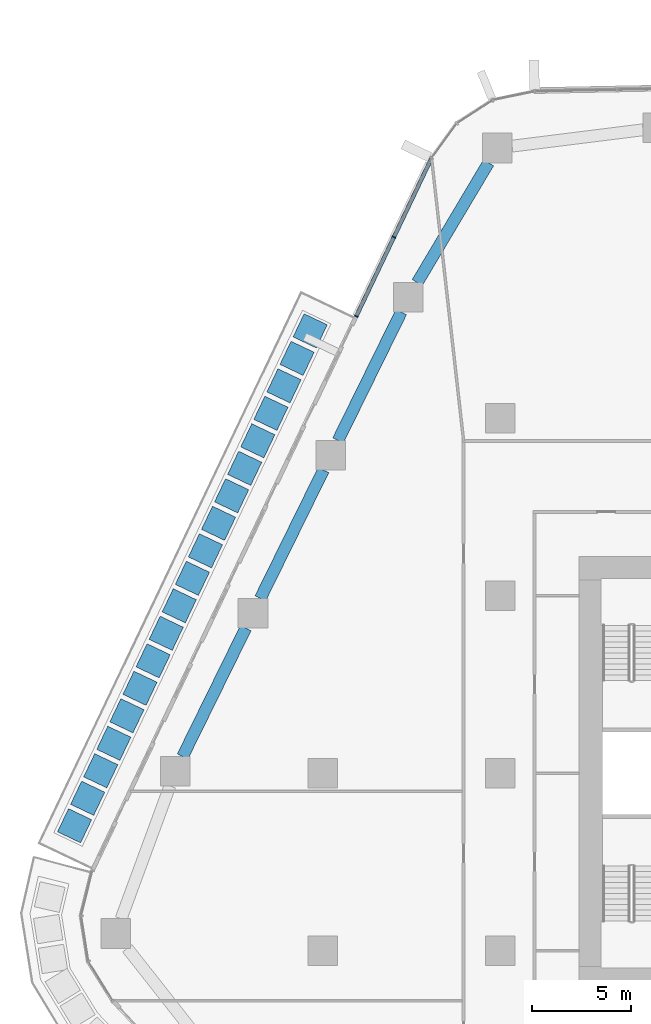
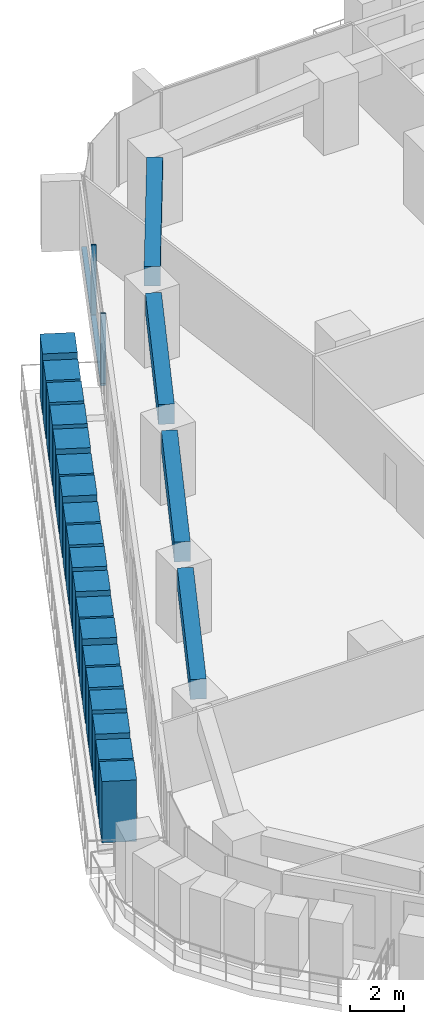
# One storey, part 5 of 24: 22 members, 4 beams, 1 element without a shape of its own.
"""IFC4 building model written with IfcOpenShell, lengths in metres."""

from ifc_helpers import new_model, si_unit, direction, frame, origin, origin_2d, place, context, subcontext, project, spatial, rectangle, extrude, material, layer, layer_set, material_profile, profile_set, type_object, element, aggregate, save


model = new_model("IFC4")

# Units and contexts
model_context = context("Model", 3, precision=1e-05, world=origin(), true_north=direction((0.0, 1.0)))
body_context = subcontext(model_context, "Body", "Model", "MODEL_VIEW")
ifc_project = project(units=[si_unit("LENGTHUNIT", "METRE"), si_unit("AREAUNIT", "SQUARE_METRE"), si_unit("VOLUMEUNIT", "CUBIC_METRE"), si_unit("PLANEANGLEUNIT", "RADIAN"), si_unit("MASSUNIT", "GRAM", prefix="KILO")], contexts=[model_context])

# Site, building, storey
site_placement = place(None, origin())
site = spatial("IfcSite", under=ifc_project, at=site_placement, CompositionType="ELEMENT")
building_placement = place(site_placement, origin())
building = spatial("IfcBuilding", under=site, at=building_placement, Name="Dongbaek Canopy Tower", CompositionType="ELEMENT")
storey_placement = place(building_placement, frame((0.0, 0.0, 47.699951171875)))
storey = spatial("IfcBuildingStorey", under=building, at=storey_placement, Name="L07", CompositionType="ELEMENT", Elevation=47.699951171875)

# Curtain wall, members
ifc_material_1 = material(Name="Aluminium 6063-T6 pale anodised", Category="aluminium")
ifc_layer = layer(ifc_material_1, 0.199951171875)
ifc_layer_set = layer_set([ifc_layer], Name="CW-1 unitised tower curtain wall")
curtain_wall_type = type_object("IfcCurtainWallType", Name="CW-1 unitised tower curtain wall", PredefinedType="NOTDEFINED", material=ifc_layer_set)
curtain_wall_placement = place(storey_placement, origin())
curtain_wall = element("IfcCurtainWall", 1, at=curtain_wall_placement, inside=storey, type_object=curtain_wall_type, Name="CW-1 curtain wall F2.1", PredefinedType="NOTDEFINED")
ifc_material_2 = material(Name="Aluminium 6063-T6 pale anodised", Category="aluminium")
ifc_material_profile_1 = material_profile(ifc_material_2, rectangle(XDim=0.199951171875, YDim=0.06005859375, at=origin_2d()), Name="CW-1 mullion 60 x 200")
ifc_profile_set_1 = profile_set([ifc_material_profile_1], Name="Aluminium 6063-T6 pale anodised")
member_type_1 = type_object("IfcMemberType", Name="CW-1 mullion 60 x 200", PredefinedType="MULLION", material=ifc_profile_set_1)
member_1_placement = place(storey_placement, frame((-23.38330078125, 27.18359375, 0.1201171875), z_axis=(0.0, 0.0, 1.0), x_axis=(-0.902928815129, 0.429790128796, 0.0)))
member_1 = element("IfcMember", 2, at=member_1_placement, type_object=member_type_1, Name="CW-1 mullion F2.1.2", PredefinedType="MULLION", context=body_context, shape_type="SweptSolid", body=[
    extrude(rectangle(XDim=0.199951171875, YDim=0.06005859375, at=origin_2d()), origin(), (0.0, 0.0, 1.0), 3.179931640625),
])
member_2_placement = place(storey_placement, frame((-25.294677734375, 23.16796875, 0.1201171875), z_axis=(0.0, 0.0, 1.0), x_axis=(-0.902928815129, 0.429790128796, 0.0)))
member_2 = element("IfcMember", 3, at=member_2_placement, type_object=member_type_1, Name="CW-1 mullion F2.1.3", PredefinedType="MULLION", context=body_context, shape_type="SweptSolid", body=[
    extrude(rectangle(XDim=0.199951171875, YDim=0.06005859375, at=origin_2d()), origin(), (0.0, 0.0, 1.0), 3.179931640625),
])
ifc_material_3 = material(Name="Aluminium 6063-T6 pale anodised", Category="aluminium")
ifc_material_profile_2 = material_profile(ifc_material_3, rectangle(XDim=0.199951171875, YDim=0.1201171875, at=origin_2d()), Name="CW-1 transom 120 x 200")
ifc_profile_set_2 = profile_set([ifc_material_profile_2], Name="Aluminium 6063-T6 pale anodised")
member_type_2 = type_object("IfcMemberType", Name="CW-1 transom 120 x 200", PredefinedType="USERDEFINED", material=ifc_profile_set_2)
member_3_placement = place(storey_placement, frame((-21.47607421875, 31.190673828125, 0.06005859375), z_axis=(-0.429774651528, -0.902936182077, 0.0), x_axis=(0.902936182077, -0.429774651528, 0.0)))
member_3 = element("IfcMember", 4, at=member_3_placement, type_object=member_type_2, Name="CW-1 transom F2.1.1", ObjectType="TRANSOM", PredefinedType="USERDEFINED", context=body_context, shape_type="SweptSolid", body=[
    extrude(rectangle(XDim=0.199951171875, YDim=0.1201171875, at=origin_2d()), origin(), (0.0, 0.0, 1.0), 8.885009765625),
])
aggregate(curtain_wall, [member_1, member_2, member_3])

# Beams
ifc_material_4 = material(Name="Concrete C80", Category="concrete")
ifc_material_profile_3 = material_profile(ifc_material_4, rectangle(XDim=0.60009765625, YDim=0.89990234375, at=origin_2d()), Name="RC EDGE BEAM 600x900 C80")
ifc_profile_set_3 = profile_set([ifc_material_profile_3], Name="Concrete C80")
beam_type = type_object("IfcBeamType", Name="RC EDGE BEAM 600x900 C80", PredefinedType="BEAM", material=ifc_profile_set_3)
beam_1_placement = place(storey_placement, frame((-34.09423828125, 0.85302734375, 2.85009765625), z_axis=(0.441292548313, 0.897363297, 0.0), x_axis=(-0.897363297, 0.441292548313, 0.0)))
element("IfcBeam", 5, at=beam_1_placement, inside=storey, type_object=beam_type, Name="EDGEBEAM:L07:09", PredefinedType="BEAM", context=body_context, shape_type="SweptSolid", body=[
    extrude(rectangle(XDim=0.60009765625, YDim=0.89990234375, at=origin_2d()), origin(), (0.0, 0.0, 1.0), 7.25244140625),
])
for number, where, z_axis, x_axis, name in (
    (6, (-30.156005859375, 8.861083984375, 2.85009765625), (0.441413427837, 0.897303842477, 0.0), (-0.897303842477, 0.441413427837, 0.0), "EDGEBEAM:L07:10"),
    (7, (-26.217041015625, 16.867919921875, 2.85009765625), (0.441318766596, 0.897350403271, 0.0), (-0.897350403271, 0.441318766596, 0.0), "EDGEBEAM:L07:11"),
):
    element("IfcBeam", number, at=place(storey_placement, frame(where, z_axis=z_axis, x_axis=x_axis)), inside=storey, type_object=beam_type, Name=name, PredefinedType="BEAM", context=body_context, shape_type="SweptSolid", body=[
        extrude(rectangle(XDim=0.60009765625, YDim=0.89990234375, at=origin_2d()), origin(), (0.0, 0.0, 1.0), 7.25146484375),
    ])
beam_2_placement = place(storey_placement, frame((-22.201416015625, 24.875, 2.85009765625), z_axis=(0.511536684445, 0.859261438951, 0.0), x_axis=(-0.859261438951, 0.511536684445, 0.0)))
element("IfcBeam", 8, at=beam_2_placement, inside=storey, type_object=beam_type, Name="EDGEBEAM:L07:12", PredefinedType="BEAM", context=body_context, shape_type="SweptSolid", body=[
    extrude(rectangle(XDim=0.60009765625, YDim=0.89990234375, at=origin_2d()), origin(), (0.0, 0.0, 1.0), 7.06884765625),
])

# Members
ifc_material_5 = material(Name="Concrete C40/50 planter mass with planting", Category="concrete")
ifc_material_profile_4 = material_profile(ifc_material_5, rectangle(XDim=1.300048828125, YDim=1.300048828125, at=origin_2d()), Name="Terrace PLANTER shrub mass 1300 x 1300")
ifc_profile_set_4 = profile_set([ifc_material_profile_4], Name="Concrete C40/50 planter mass with planting")
member_type_3 = type_object("IfcMemberType", Name="Terrace PLANTER shrub mass 1300 x 1300", PredefinedType="USERDEFINED", material=ifc_profile_set_4)
member_4_placement = place(storey_placement, frame((-27.62939453125, 22.427734375, 0.420166015625), z_axis=(0.0, 0.0, 1.0), x_axis=(-0.902928815129, 0.429790128796, 0.0)))
element("IfcMember", 9, at=member_4_placement, inside=storey, type_object=member_type_3, Name="Planter shrubs L07 2.1", ObjectType="PLANTER", PredefinedType="USERDEFINED", context=body_context, shape_type="SweptSolid", body=[
    extrude(rectangle(XDim=1.300048828125, YDim=1.300048828125, at=origin_2d()), origin(), (0.0, 0.0, 1.0), 2.77978515625),
])
member_5_placement = place(storey_placement, frame((-28.29296875, 21.033935546875, 0.420166015625), z_axis=(0.0, 0.0, 1.0), x_axis=(-0.902928815129, 0.429790128796, 0.0)))
element("IfcMember", 10, at=member_5_placement, inside=storey, type_object=member_type_3, Name="Planter shrubs L07 2.2", ObjectType="PLANTER", PredefinedType="USERDEFINED", context=body_context, shape_type="SweptSolid", body=[
    extrude(rectangle(XDim=1.300048828125, YDim=1.300048828125, at=origin_2d()), origin(), (0.0, 0.0, 1.0), 2.64990234375),
])
member_6_placement = place(storey_placement, frame((-28.956298828125, 19.64013671875, 0.420166015625), z_axis=(0.0, 0.0, 1.0), x_axis=(-0.902928815129, 0.429790128796, 0.0)))
element("IfcMember", 11, at=member_6_placement, inside=storey, type_object=member_type_3, Name="Planter shrubs L07 2.3", ObjectType="PLANTER", PredefinedType="USERDEFINED", context=body_context, shape_type="SweptSolid", body=[
    extrude(rectangle(XDim=1.300048828125, YDim=1.300048828125, at=origin_2d()), origin(), (0.0, 0.0, 1.0), 2.72998046875),
])
member_7_placement = place(storey_placement, frame((-29.619873046875, 18.246337890625, 0.420166015625), z_axis=(0.0, 0.0, 1.0), x_axis=(-0.902928815129, 0.429790128796, 0.0)))
element("IfcMember", 12, at=member_7_placement, inside=storey, type_object=member_type_3, Name="Planter shrubs L07 2.4", ObjectType="PLANTER", PredefinedType="USERDEFINED", context=body_context, shape_type="SweptSolid", body=[
    extrude(rectangle(XDim=1.300048828125, YDim=1.300048828125, at=origin_2d()), origin(), (0.0, 0.0, 1.0), 2.77978515625),
])
member_8_placement = place(storey_placement, frame((-30.283203125, 16.8525390625, 0.420166015625), z_axis=(0.0, 0.0, 1.0), x_axis=(-0.902928815129, 0.429790128796, 0.0)))
element("IfcMember", 13, at=member_8_placement, inside=storey, type_object=member_type_3, Name="Planter shrubs L07 2.5", ObjectType="PLANTER", PredefinedType="USERDEFINED", context=body_context, shape_type="SweptSolid", body=[
    extrude(rectangle(XDim=1.300048828125, YDim=1.300048828125, at=origin_2d()), origin(), (0.0, 0.0, 1.0), 2.769775390625),
])
member_9_placement = place(storey_placement, frame((-30.94677734375, 15.458740234375, 0.420166015625), z_axis=(0.0, 0.0, 1.0), x_axis=(-0.902928815129, 0.429790128796, 0.0)))
element("IfcMember", 14, at=member_9_placement, inside=storey, type_object=member_type_3, Name="Planter shrubs L07 2.6", ObjectType="PLANTER", PredefinedType="USERDEFINED", context=body_context, shape_type="SweptSolid", body=[
    extrude(rectangle(XDim=1.300048828125, YDim=1.300048828125, at=origin_2d()), origin(), (0.0, 0.0, 1.0), 2.68994140625),
])
member_10_placement = place(storey_placement, frame((-31.610107421875, 14.06494140625, 0.420166015625), z_axis=(0.0, 0.0, 1.0), x_axis=(-0.902928815129, 0.429790128796, 0.0)))
element("IfcMember", 15, at=member_10_placement, inside=storey, type_object=member_type_3, Name="Planter shrubs L07 2.7", ObjectType="PLANTER", PredefinedType="USERDEFINED", context=body_context, shape_type="SweptSolid", body=[
    extrude(rectangle(XDim=1.300048828125, YDim=1.300048828125, at=origin_2d()), origin(), (0.0, 0.0, 1.0), 2.77978515625),
])
member_11_placement = place(storey_placement, frame((-32.273681640625, 12.6708984375, 0.420166015625), z_axis=(0.0, 0.0, 1.0), x_axis=(-0.902928815129, 0.429790128796, 0.0)))
element("IfcMember", 16, at=member_11_placement, inside=storey, type_object=member_type_3, Name="Planter shrubs L07 2.8", ObjectType="PLANTER", PredefinedType="USERDEFINED", context=body_context, shape_type="SweptSolid", body=[
    extrude(rectangle(XDim=1.300048828125, YDim=1.300048828125, at=origin_2d()), origin(), (0.0, 0.0, 1.0), 2.64990234375),
])
member_12_placement = place(storey_placement, frame((-32.937255859375, 11.277099609375, 0.420166015625), z_axis=(0.0, 0.0, 1.0), x_axis=(-0.902928815129, 0.429790128796, 0.0)))
element("IfcMember", 17, at=member_12_placement, inside=storey, type_object=member_type_3, Name="Planter shrubs L07 2.9", ObjectType="PLANTER", PredefinedType="USERDEFINED", context=body_context, shape_type="SweptSolid", body=[
    extrude(rectangle(XDim=1.300048828125, YDim=1.300048828125, at=origin_2d()), origin(), (0.0, 0.0, 1.0), 2.72998046875),
])
member_13_placement = place(storey_placement, frame((-33.6005859375, 9.88330078125, 0.420166015625), z_axis=(0.0, 0.0, 1.0), x_axis=(-0.902928815129, 0.429790128796, 0.0)))
element("IfcMember", 18, at=member_13_placement, inside=storey, type_object=member_type_3, Name="Planter shrubs L07 2.10", ObjectType="PLANTER", PredefinedType="USERDEFINED", context=body_context, shape_type="SweptSolid", body=[
    extrude(rectangle(XDim=1.300048828125, YDim=1.300048828125, at=origin_2d()), origin(), (0.0, 0.0, 1.0), 2.77978515625),
])
member_14_placement = place(storey_placement, frame((-34.26416015625, 8.489501953125, 0.420166015625), z_axis=(0.0, 0.0, 1.0), x_axis=(-0.902928815129, 0.429790128796, 0.0)))
element("IfcMember", 19, at=member_14_placement, inside=storey, type_object=member_type_3, Name="Planter shrubs L07 2.11", ObjectType="PLANTER", PredefinedType="USERDEFINED", context=body_context, shape_type="SweptSolid", body=[
    extrude(rectangle(XDim=1.300048828125, YDim=1.300048828125, at=origin_2d()), origin(), (0.0, 0.0, 1.0), 2.769775390625),
])
member_15_placement = place(storey_placement, frame((-34.927490234375, 7.095703125, 0.420166015625), z_axis=(0.0, 0.0, 1.0), x_axis=(-0.902928815129, 0.429790128796, 0.0)))
element("IfcMember", 20, at=member_15_placement, inside=storey, type_object=member_type_3, Name="Planter shrubs L07 2.12", ObjectType="PLANTER", PredefinedType="USERDEFINED", context=body_context, shape_type="SweptSolid", body=[
    extrude(rectangle(XDim=1.300048828125, YDim=1.300048828125, at=origin_2d()), origin(), (0.0, 0.0, 1.0), 2.68994140625),
])
member_16_placement = place(storey_placement, frame((-35.591064453125, 5.701904296875, 0.420166015625), z_axis=(0.0, 0.0, 1.0), x_axis=(-0.902928815129, 0.429790128796, 0.0)))
element("IfcMember", 21, at=member_16_placement, inside=storey, type_object=member_type_3, Name="Planter shrubs L07 2.13", ObjectType="PLANTER", PredefinedType="USERDEFINED", context=body_context, shape_type="SweptSolid", body=[
    extrude(rectangle(XDim=1.300048828125, YDim=1.300048828125, at=origin_2d()), origin(), (0.0, 0.0, 1.0), 2.77978515625),
])
member_17_placement = place(storey_placement, frame((-36.25439453125, 4.307861328125, 0.420166015625), z_axis=(0.0, 0.0, 1.0), x_axis=(-0.902928815129, 0.429790128796, 0.0)))
element("IfcMember", 22, at=member_17_placement, inside=storey, type_object=member_type_3, Name="Planter shrubs L07 2.14", ObjectType="PLANTER", PredefinedType="USERDEFINED", context=body_context, shape_type="SweptSolid", body=[
    extrude(rectangle(XDim=1.300048828125, YDim=1.300048828125, at=origin_2d()), origin(), (0.0, 0.0, 1.0), 2.64990234375),
])
member_18_placement = place(storey_placement, frame((-36.91796875, 2.9140625, 0.420166015625), z_axis=(0.0, 0.0, 1.0), x_axis=(-0.902928815129, 0.429790128796, 0.0)))
element("IfcMember", 23, at=member_18_placement, inside=storey, type_object=member_type_3, Name="Planter shrubs L07 2.15", ObjectType="PLANTER", PredefinedType="USERDEFINED", context=body_context, shape_type="SweptSolid", body=[
    extrude(rectangle(XDim=1.300048828125, YDim=1.300048828125, at=origin_2d()), origin(), (0.0, 0.0, 1.0), 2.72998046875),
])
member_19_placement = place(storey_placement, frame((-37.581298828125, 1.520263671875, 0.420166015625), z_axis=(0.0, 0.0, 1.0), x_axis=(-0.902928815129, 0.429790128796, 0.0)))
element("IfcMember", 24, at=member_19_placement, inside=storey, type_object=member_type_3, Name="Planter shrubs L07 2.16", ObjectType="PLANTER", PredefinedType="USERDEFINED", context=body_context, shape_type="SweptSolid", body=[
    extrude(rectangle(XDim=1.300048828125, YDim=1.300048828125, at=origin_2d()), origin(), (0.0, 0.0, 1.0), 2.77978515625),
])
member_20_placement = place(storey_placement, frame((-38.244873046875, 0.12646484375, 0.420166015625), z_axis=(0.0, 0.0, 1.0), x_axis=(-0.902928815129, 0.429790128796, 0.0)))
element("IfcMember", 25, at=member_20_placement, inside=storey, type_object=member_type_3, Name="Planter shrubs L07 2.17", ObjectType="PLANTER", PredefinedType="USERDEFINED", context=body_context, shape_type="SweptSolid", body=[
    extrude(rectangle(XDim=1.300048828125, YDim=1.300048828125, at=origin_2d()), origin(), (0.0, 0.0, 1.0), 2.769775390625),
])
member_21_placement = place(storey_placement, frame((-38.908203125, -1.267333984375, 0.420166015625), z_axis=(0.0, 0.0, 1.0), x_axis=(-0.902928815129, 0.429790128796, 0.0)))
element("IfcMember", 26, at=member_21_placement, inside=storey, type_object=member_type_3, Name="Planter shrubs L07 2.18", ObjectType="PLANTER", PredefinedType="USERDEFINED", context=body_context, shape_type="SweptSolid", body=[
    extrude(rectangle(XDim=1.300048828125, YDim=1.300048828125, at=origin_2d()), origin(), (0.0, 0.0, 1.0), 2.68994140625),
])
member_22_placement = place(storey_placement, frame((-39.57177734375, -2.6611328125, 0.420166015625), z_axis=(0.0, 0.0, 1.0), x_axis=(-0.902928815129, 0.429790128796, 0.0)))
element("IfcMember", 27, at=member_22_placement, inside=storey, type_object=member_type_3, Name="Planter shrubs L07 2.19", ObjectType="PLANTER", PredefinedType="USERDEFINED", context=body_context, shape_type="SweptSolid", body=[
    extrude(rectangle(XDim=1.300048828125, YDim=1.300048828125, at=origin_2d()), origin(), (0.0, 0.0, 1.0), 2.77978515625),
])

save(model, "model.ifc")
